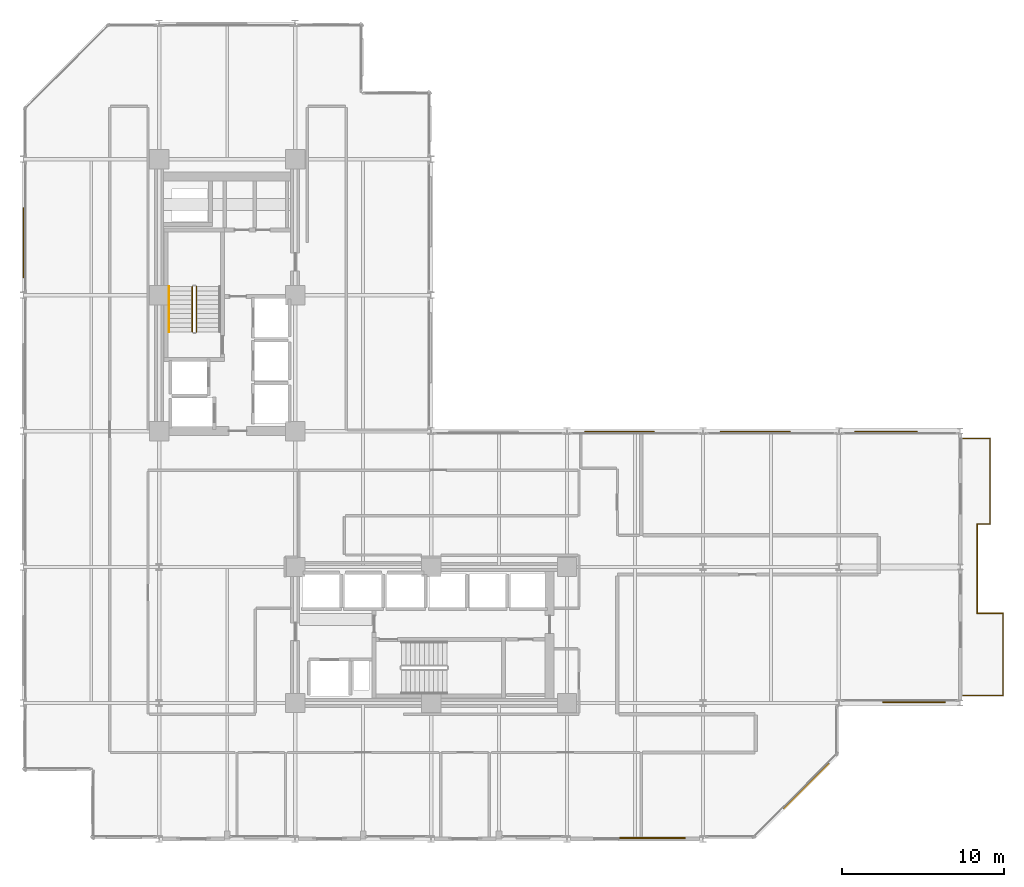
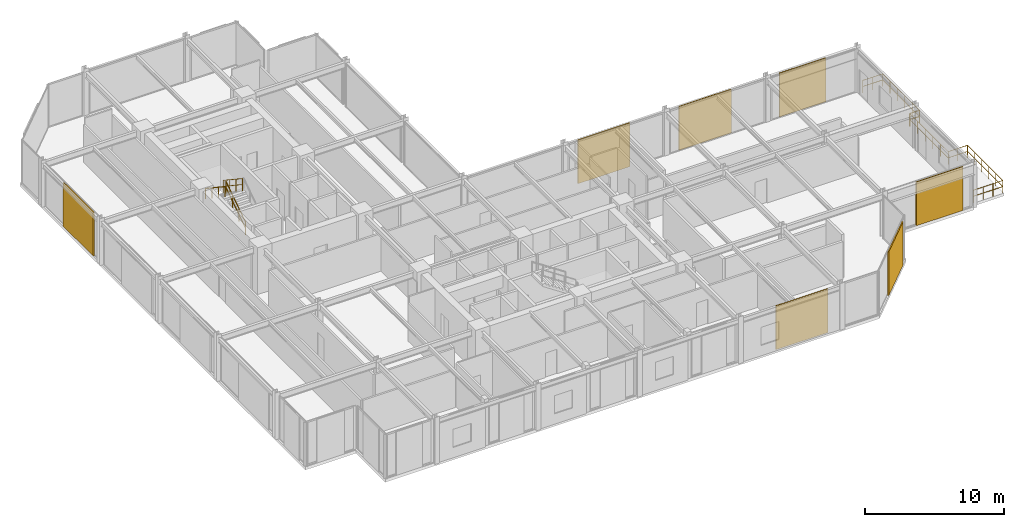
# One storey, part 37 of 38: 10 railings, 7 coverings.
"""IFC4 building model written with IfcOpenShell, lengths in metres."""

from ifc_helpers import new_model, si_unit, direction, frame, origin, origin_2d, place, context, subcontext, project, spatial, rectangle, circle, extrude, material, layer, layer_set, type_object, element, save


model = new_model("IFC4")

# Units and contexts
model_context = context("Model", 3, precision=1e-05, world=origin(), true_north=direction((0.0, 1.0)))
body_context = subcontext(model_context, "Body", "Model", "MODEL_VIEW")
ifc_project = project(units=[si_unit("LENGTHUNIT", "METRE"), si_unit("AREAUNIT", "SQUARE_METRE"), si_unit("VOLUMEUNIT", "CUBIC_METRE"), si_unit("PLANEANGLEUNIT", "RADIAN"), si_unit("MASSUNIT", "GRAM", prefix="KILO")], contexts=[model_context])

# Site, building, storey
site_placement = place(None, origin())
site = spatial("IfcSite", under=ifc_project, at=site_placement, CompositionType="ELEMENT")
building_placement = place(site_placement, origin())
building = spatial("IfcBuilding", under=site, at=building_placement, Name="Nerrivon Quay Data Exchange", CompositionType="ELEMENT")
storey_placement = place(building_placement, frame((0.0, 0.0, 84.39990234375)))
storey = spatial("IfcBuildingStorey", under=building, at=storey_placement, Name="L19", CompositionType="ELEMENT", Elevation=84.39990234375)

# Coverings
ifc_material_1 = material(Name="Architectural terracotta ceramic", Category="masonry")
ifc_layer = layer(ifc_material_1, 0.090087890625)
ifc_layer_set = layer_set([ifc_layer], Name="Architectural terracotta ceramic")
covering_type = type_object("IfcCoveringType", Name="COV-SCR-TERR", PredefinedType="CLADDING", material=ifc_layer_set)
covering_1_placement = place(storey_placement, frame((55.029541015625, 8.445068359375, 0.0), z_axis=(0.0, 0.0, 1.0), x_axis=(-1.0, 0.0, 0.0)))
element("IfcCovering", 1, at=covering_1_placement, inside=storey, type_object=covering_type, Name="L19 Perforated Terracotta SOLAR SCREEN Cassette", PredefinedType="CLADDING", context=body_context, shape_type="SweptSolid", body=[
    extrude(rectangle(XDim=3.85791015625, YDim=0.090087890625, at=origin_2d()), origin(), (0.0, 0.0, 1.0), 3.824951171875),
])
covering_2_placement = place(storey_placement, frame((48.39208984375, 3.255859375, 0.0), z_axis=(0.0, 0.0, 1.0), x_axis=(-0.707106781187, -0.707106781187, 0.0)))
element("IfcCovering", 2, at=covering_2_placement, inside=storey, type_object=covering_type, Name="L19 Perforated Terracotta SOLAR SCREEN Cassette", PredefinedType="CLADDING", context=body_context, shape_type="SweptSolid", body=[
    extrude(rectangle(XDim=3.970947265625, YDim=0.090087890625, at=origin_2d()), origin(), (0.0, 0.0, 1.0), 3.824951171875),
])
for number, where, z_axis, x_axis, name in (
    (3, (38.760009765625, 0.044921875, 0.0), (0.0, 0.0, 1.0), (-1.0, 0.0, 0.0), "L19 Perforated Terracotta SOLAR SCREEN Cassette"),
    (4, (0.044921875, 36.840087890625, 0.0), (0.0, 0.0, 1.0), (0.0, 1.0, 0.0), "L19 Perforated Terracotta SOLAR SCREEN Cassette"),
    (5, (36.840087890625, 25.155029296875, 0.0), (0.0, 0.0, 1.0), (1.0, 0.0, 0.0), "L19 Perforated Terracotta SOLAR SCREEN Cassette"),
    (6, (45.239990234375, 25.155029296875, 0.0), (0.0, 0.0, 1.0), (1.0, 0.0, 0.0), "L19 Perforated Terracotta SOLAR SCREEN Cassette"),
):
    element("IfcCovering", number, at=place(storey_placement, frame(where, z_axis=z_axis, x_axis=x_axis)), inside=storey, type_object=covering_type, Name=name, PredefinedType="CLADDING", context=body_context, shape_type="SweptSolid", body=[
        extrude(rectangle(XDim=4.320068359375, YDim=0.090087890625, at=origin_2d()), origin(), (0.0, 0.0, 1.0), 3.824951171875),
    ])
covering_3_placement = place(storey_placement, frame((53.31494140625, 25.155029296875, 0.0), z_axis=(0.0, 0.0, 1.0), x_axis=(1.0, 0.0, 0.0)))
element("IfcCovering", 7, at=covering_3_placement, inside=storey, type_object=covering_type, Name="L19 Perforated Terracotta SOLAR SCREEN Cassette", PredefinedType="CLADDING", context=body_context, shape_type="SweptSolid", body=[
    extrude(rectangle(XDim=3.85791015625, YDim=0.090087890625, at=origin_2d()), origin(), (0.0, 0.0, 1.0), 3.824951171875),
])

# Railings
ifc_material_2 = material(Name="Steel Grade C350L0 (350 MPa)", Category="steel")
railing_type_1 = type_object("IfcRailingType", Name="RAIL-GUARD-GR2", PredefinedType="BALUSTRADE", material=ifc_material_2)
railing_1_placement = place(storey_placement, frame((58.93994140625, 13.93994140625, 0.0)))
element("IfcRailing", 8, at=railing_1_placement, inside=storey, type_object=railing_type_1, Name="L19 Verandah Balcony Guard 1.1 1", PredefinedType="BALUSTRADE", context=body_context, shape_type="SweptSolid", body=[
    extrude(circle(Radius=0.02392578125, at=origin_2d()), frame((0.0, 0.0, 1.09619140625), z_axis=(1.0, 0.0, 0.0), x_axis=(0.0, 1.0, 0.0)), (0.0, 0.0, 1.0), 1.60009765625),
    extrude(circle(Radius=0.02392578125, at=origin_2d()), frame((0.0, 0.0, 0.56005859375), z_axis=(1.0, 0.0, 0.0), x_axis=(0.0, 1.0, 0.0)), (0.0, 0.0, 1.0), 1.60009765625),
    extrude(circle(Radius=0.02099609375, at=origin_2d()), origin(), (0.0, 0.0, 1.0), 1.072021484375),
    extrude(circle(Radius=0.02099609375, at=origin_2d()), frame((0.800048828125, 0.0, 0.0)), (0.0, 0.0, 1.0), 1.072021484375),
    extrude(circle(Radius=0.02099609375, at=origin_2d()), frame((1.60009765625, 0.0, 0.0)), (0.0, 0.0, 1.0), 1.072021484375),
])
railing_2_placement = place(storey_placement, frame((60.5400390625, 13.93994140625, 0.0)))
element("IfcRailing", 9, at=railing_2_placement, inside=storey, type_object=railing_type_1, Name="L19 Verandah Balcony Guard 1.2 1", PredefinedType="BALUSTRADE", context=body_context, shape_type="SweptSolid", body=[
    extrude(circle(Radius=0.02392578125, at=origin_2d()), frame((0.0, 0.0, 1.09619140625), z_axis=(0.0, -1.0, 0.0), x_axis=(1.0, 0.0, 0.0)), (0.0, 0.0, 1.0), 5.079833984375),
    extrude(circle(Radius=0.02392578125, at=origin_2d()), frame((0.0, 0.0, 0.56005859375), z_axis=(0.0, -1.0, 0.0), x_axis=(1.0, 0.0, 0.0)), (0.0, 0.0, 1.0), 5.079833984375),
    extrude(circle(Radius=0.02099609375, at=origin_2d()), origin(), (0.0, 0.0, 1.0), 1.072021484375),
    extrude(circle(Radius=0.02099609375, at=origin_2d()), frame((0.0, -1.015869140625, 0.0)), (0.0, 0.0, 1.0), 1.072021484375),
    extrude(circle(Radius=0.02099609375, at=origin_2d()), frame((0.0, -2.031982421875, 0.0)), (0.0, 0.0, 1.0), 1.072021484375),
    extrude(circle(Radius=0.02099609375, at=origin_2d()), frame((0.0, -3.0478515625, 0.0)), (0.0, 0.0, 1.0), 1.072021484375),
    extrude(circle(Radius=0.02099609375, at=origin_2d()), frame((0.0, -4.06396484375, 0.0)), (0.0, 0.0, 1.0), 1.072021484375),
    extrude(circle(Radius=0.02099609375, at=origin_2d()), frame((0.0, -5.079833984375, 0.0)), (0.0, 0.0, 1.0), 1.072021484375),
])
railing_3_placement = place(storey_placement, frame((60.5400390625, 8.860107421875, 0.0)))
element("IfcRailing", 10, at=railing_3_placement, inside=storey, type_object=railing_type_1, Name="L19 Verandah Balcony Guard 1.3 1", PredefinedType="BALUSTRADE", context=body_context, shape_type="SweptSolid", body=[
    extrude(circle(Radius=0.02392578125, at=origin_2d()), frame((0.0, 0.0, 1.09619140625), z_axis=(-1.0, 0.0, 0.0), x_axis=(0.0, -1.0, 0.0)), (0.0, 0.0, 1.0), 2.4599609375),
    extrude(circle(Radius=0.02392578125, at=origin_2d()), frame((0.0, 0.0, 0.56005859375), z_axis=(-1.0, 0.0, 0.0), x_axis=(0.0, -1.0, 0.0)), (0.0, 0.0, 1.0), 2.4599609375),
    extrude(circle(Radius=0.02099609375, at=origin_2d()), origin(), (0.0, 0.0, 1.0), 1.072021484375),
    extrude(circle(Radius=0.02099609375, at=origin_2d()), frame((-0.820068359375, 0.0, 0.0)), (0.0, 0.0, 1.0), 1.072021484375),
    extrude(circle(Radius=0.02099609375, at=origin_2d()), frame((-1.639892578125, 0.0, 0.0)), (0.0, 0.0, 1.0), 1.072021484375),
    extrude(circle(Radius=0.02099609375, at=origin_2d()), frame((-2.4599609375, 0.0, 0.0)), (0.0, 0.0, 1.0), 1.072021484375),
])
railing_4_placement = place(storey_placement, frame((58.080078125, 24.739990234375, 0.0)))
element("IfcRailing", 11, at=railing_4_placement, inside=storey, type_object=railing_type_1, Name="L19 Verandah Balcony Guard 1.4 1", PredefinedType="BALUSTRADE", context=body_context, shape_type="SweptSolid", body=[
    extrude(circle(Radius=0.02392578125, at=origin_2d()), frame((0.0, 0.0, 1.09619140625), z_axis=(1.0, 0.0, 0.0), x_axis=(0.0, 1.0, 0.0)), (0.0, 0.0, 1.0), 1.659912109375),
    extrude(circle(Radius=0.02392578125, at=origin_2d()), frame((0.0, 0.0, 0.56005859375), z_axis=(1.0, 0.0, 0.0), x_axis=(0.0, 1.0, 0.0)), (0.0, 0.0, 1.0), 1.659912109375),
    extrude(circle(Radius=0.02099609375, at=origin_2d()), origin(), (0.0, 0.0, 1.0), 1.072021484375),
    extrude(circle(Radius=0.02099609375, at=origin_2d()), frame((0.830078125, 0.0, 0.0)), (0.0, 0.0, 1.0), 1.072021484375),
    extrude(circle(Radius=0.02099609375, at=origin_2d()), frame((1.659912109375, 0.0, 0.0)), (0.0, 0.0, 1.0), 1.072021484375),
])
railing_5_placement = place(storey_placement, frame((59.739990234375, 24.739990234375, 0.0)))
element("IfcRailing", 12, at=railing_5_placement, inside=storey, type_object=railing_type_1, Name="L19 Verandah Balcony Guard 1.5 1", PredefinedType="BALUSTRADE", context=body_context, shape_type="SweptSolid", body=[
    extrude(circle(Radius=0.02392578125, at=origin_2d()), frame((0.0, 0.0, 1.09619140625), z_axis=(0.0, -1.0, 0.0), x_axis=(1.0, 0.0, 0.0)), (0.0, 0.0, 1.0), 5.280029296875),
    extrude(circle(Radius=0.02392578125, at=origin_2d()), frame((0.0, 0.0, 0.56005859375), z_axis=(0.0, -1.0, 0.0), x_axis=(1.0, 0.0, 0.0)), (0.0, 0.0, 1.0), 5.280029296875),
    extrude(circle(Radius=0.02099609375, at=origin_2d()), origin(), (0.0, 0.0, 1.0), 1.072021484375),
    extrude(circle(Radius=0.02099609375, at=origin_2d()), frame((0.0, -1.055908203125, 0.0)), (0.0, 0.0, 1.0), 1.072021484375),
    extrude(circle(Radius=0.02099609375, at=origin_2d()), frame((0.0, -2.112060546875, 0.0)), (0.0, 0.0, 1.0), 1.072021484375),
    extrude(circle(Radius=0.02099609375, at=origin_2d()), frame((0.0, -3.16796875, 0.0)), (0.0, 0.0, 1.0), 1.072021484375),
    extrude(circle(Radius=0.02099609375, at=origin_2d()), frame((0.0, -4.22412109375, 0.0)), (0.0, 0.0, 1.0), 1.072021484375),
    extrude(circle(Radius=0.02099609375, at=origin_2d()), frame((0.0, -5.280029296875, 0.0)), (0.0, 0.0, 1.0), 1.072021484375),
])
railing_6_placement = place(storey_placement, frame((59.739990234375, 19.4599609375, 0.0)))
element("IfcRailing", 13, at=railing_6_placement, inside=storey, type_object=railing_type_1, Name="L19 Verandah Balcony Guard 1.6 1", PredefinedType="BALUSTRADE", context=body_context, shape_type="SweptSolid", body=[
    extrude(circle(Radius=0.02392578125, at=origin_2d()), frame((0.0, 0.0, 1.09619140625), z_axis=(-1.0, 0.0, 0.0), x_axis=(0.0, -1.0, 0.0)), (0.0, 0.0, 1.0), 0.800048828125),
    extrude(circle(Radius=0.02392578125, at=origin_2d()), frame((0.0, 0.0, 0.56005859375), z_axis=(-1.0, 0.0, 0.0), x_axis=(0.0, -1.0, 0.0)), (0.0, 0.0, 1.0), 0.800048828125),
    extrude(circle(Radius=0.02099609375, at=origin_2d()), origin(), (0.0, 0.0, 1.0), 1.072021484375),
    extrude(circle(Radius=0.02099609375, at=origin_2d()), frame((-0.800048828125, 0.0, 0.0)), (0.0, 0.0, 1.0), 1.072021484375),
])
railing_7_placement = place(storey_placement, frame((58.93994140625, 19.4599609375, 0.0)))
element("IfcRailing", 14, at=railing_7_placement, inside=storey, type_object=railing_type_1, Name="L19 Verandah Balcony Guard 1.7 1", PredefinedType="BALUSTRADE", context=body_context, shape_type="SweptSolid", body=[
    extrude(circle(Radius=0.02392578125, at=origin_2d()), frame((0.0, 0.0, 1.09619140625), z_axis=(0.0, -1.0, 0.0), x_axis=(1.0, 0.0, 0.0)), (0.0, 0.0, 1.0), 5.52001953125),
    extrude(circle(Radius=0.02392578125, at=origin_2d()), frame((0.0, 0.0, 0.56005859375), z_axis=(0.0, -1.0, 0.0), x_axis=(1.0, 0.0, 0.0)), (0.0, 0.0, 1.0), 5.52001953125),
    extrude(circle(Radius=0.02099609375, at=origin_2d()), origin(), (0.0, 0.0, 1.0), 1.072021484375),
    extrude(circle(Radius=0.02099609375, at=origin_2d()), frame((0.0, -1.10400390625, 0.0)), (0.0, 0.0, 1.0), 1.072021484375),
    extrude(circle(Radius=0.02099609375, at=origin_2d()), frame((0.0, -2.2080078125, 0.0)), (0.0, 0.0, 1.0), 1.072021484375),
    extrude(circle(Radius=0.02099609375, at=origin_2d()), frame((0.0, -3.31201171875, 0.0)), (0.0, 0.0, 1.0), 1.072021484375),
    extrude(circle(Radius=0.02099609375, at=origin_2d()), frame((0.0, -4.416015625, 0.0)), (0.0, 0.0, 1.0), 1.072021484375),
    extrude(circle(Radius=0.02099609375, at=origin_2d()), frame((0.0, -5.52001953125, 0.0)), (0.0, 0.0, 1.0), 1.072021484375),
])
railing_type_2 = type_object("IfcRailingType", Name="RAIL-HAND-HR1", PredefinedType="HANDRAIL", material=ifc_material_2)
railing_8_placement = place(storey_placement, frame((9.0, 34.1298828125, 2.236572265625)))
element("IfcRailing", 15, at=railing_8_placement, inside=storey, type_object=railing_type_2, Name="L19 ST01 stair handrail 2", PredefinedType="HANDRAIL", context=body_context, shape_type="SweptSolid", body=[
    extrude(circle(Radius=0.02392578125, at=origin_2d()), frame((0.0, 0.0, 0.8759765625), z_axis=(0.0, -0.832463268671, 0.554080234545), x_axis=(1.0, 0.0, 0.0)), (0.0, 0.0, 1.0), 3.36328125),
    extrude(circle(Radius=0.02099609375, at=origin_2d()), origin(), (0.0, 0.0, 1.0), 0.851806640625),
    extrude(circle(Radius=0.02099609375, at=origin_2d()), frame((0.0, -0.933349609375, 0.62109375)), (0.0, 0.0, 1.0), 0.851806640625),
    extrude(circle(Radius=0.02099609375, at=origin_2d()), frame((0.0, -1.866455078125, 1.242431640625)), (0.0, 0.0, 1.0), 0.851806640625),
    extrude(circle(Radius=0.02099609375, at=origin_2d()), frame((0.0, -2.7998046875, 1.863525390625)), (0.0, 0.0, 1.0), 0.851806640625),
])
railing_type_3 = type_object("IfcRailingType", Name="RAIL-STAIR-GR1", PredefinedType="BALUSTRADE", material=ifc_material_2)
railing_9_placement = place(storey_placement, frame((10.699951171875, 31.330078125, 0.1865234375)))
element("IfcRailing", 16, at=railing_9_placement, inside=storey, type_object=railing_type_3, Name="L19 ST01 stair guard 1", PredefinedType="BALUSTRADE", context=body_context, shape_type="SweptSolid", body=[
    extrude(circle(Radius=0.02392578125, at=origin_2d()), frame((0.0, 0.0, 1.076171875), z_axis=(0.0, 0.832463268671, 0.554080234545), x_axis=(-1.0, 0.0, 0.0)), (0.0, 0.0, 1.0), 3.36328125),
    extrude(circle(Radius=0.02392578125, at=origin_2d()), frame((0.0, 0.0, 0.550048828125), z_axis=(0.0, 0.832463268671, 0.554080234545), x_axis=(-1.0, 0.0, 0.0)), (0.0, 0.0, 1.0), 3.36328125),
    extrude(circle(Radius=0.02099609375, at=origin_2d()), origin(), (0.0, 0.0, 1.0), 1.052001953125),
    extrude(circle(Radius=0.02099609375, at=origin_2d()), frame((0.0, 0.933349609375, 0.62109375)), (0.0, 0.0, 1.0), 1.052001953125),
    extrude(circle(Radius=0.02099609375, at=origin_2d()), frame((0.0, 1.866455078125, 1.242431640625)), (0.0, 0.0, 1.0), 1.052001953125),
    extrude(circle(Radius=0.02099609375, at=origin_2d()), frame((0.0, 2.7998046875, 1.863525390625)), (0.0, 0.0, 1.0), 1.052001953125),
])
railing_10_placement = place(storey_placement, frame((10.449951171875, 34.1298828125, 2.236572265625)))
element("IfcRailing", 17, at=railing_10_placement, inside=storey, type_object=railing_type_3, Name="L19 ST01 stair guard 3", PredefinedType="BALUSTRADE", context=body_context, shape_type="SweptSolid", body=[
    extrude(circle(Radius=0.02392578125, at=origin_2d()), frame((0.0, 0.0, 1.076171875), z_axis=(0.0, -0.832463268671, 0.554080234545), x_axis=(1.0, 0.0, 0.0)), (0.0, 0.0, 1.0), 3.36328125),
    extrude(circle(Radius=0.02392578125, at=origin_2d()), frame((0.0, 0.0, 0.550048828125), z_axis=(0.0, -0.832463268671, 0.554080234545), x_axis=(1.0, 0.0, 0.0)), (0.0, 0.0, 1.0), 3.36328125),
    extrude(circle(Radius=0.02099609375, at=origin_2d()), origin(), (0.0, 0.0, 1.0), 1.052001953125),
    extrude(circle(Radius=0.02099609375, at=origin_2d()), frame((0.0, -0.933349609375, 0.62109375)), (0.0, 0.0, 1.0), 1.052001953125),
    extrude(circle(Radius=0.02099609375, at=origin_2d()), frame((0.0, -1.866455078125, 1.242431640625)), (0.0, 0.0, 1.0), 1.052001953125),
    extrude(circle(Radius=0.02099609375, at=origin_2d()), frame((0.0, -2.7998046875, 1.863525390625)), (0.0, 0.0, 1.0), 1.052001953125),
])

save(model, "model.ifc")
